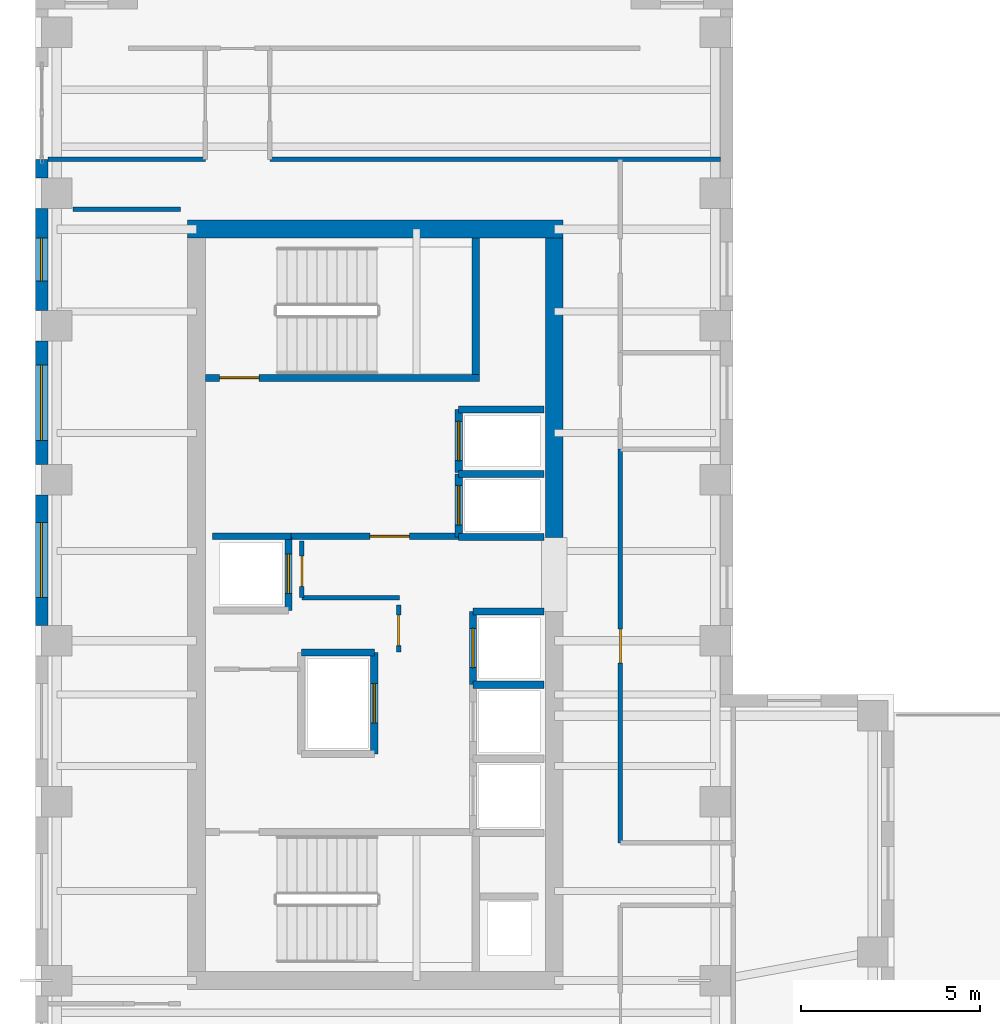
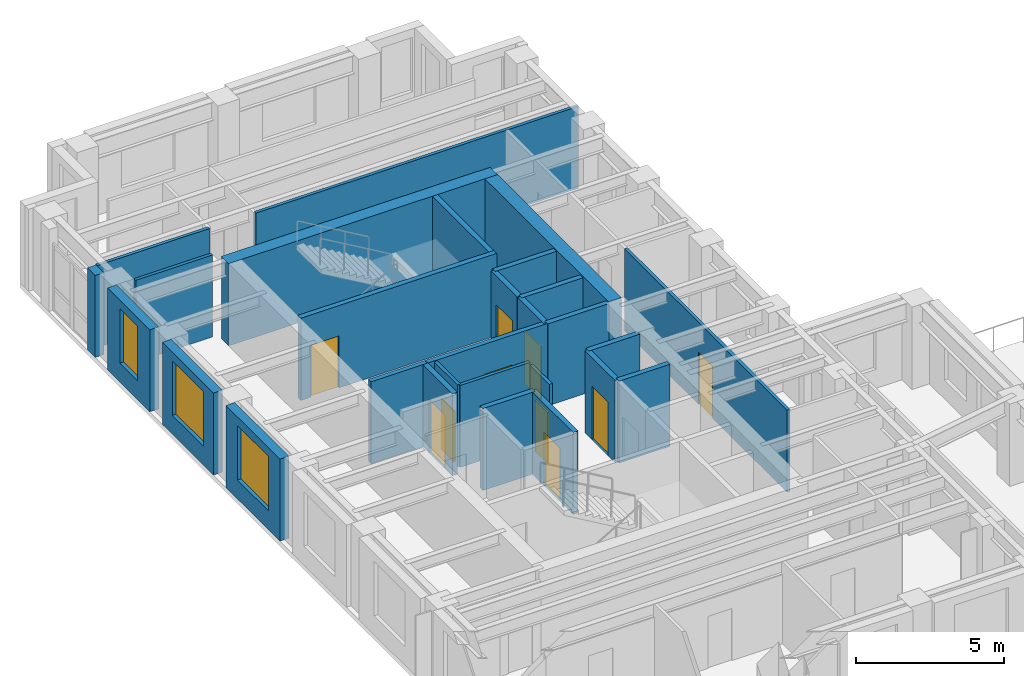
# One storey, part 7 of 11: 28 walls, 10 doors, 3 windows, 13 openings.
"""IFC4 building model written with IfcOpenShell, lengths in metres."""

from ifc_helpers import new_model, si_unit, direction, frame, frame_2d, origin, place, context, subcontext, project, spatial, rectangle, extrude, source, transform, mapped, material, layer, layer_set, type_object, element, fill, save


model = new_model("IFC4")

# Units and contexts
model_context = context("Model", 3, precision=1e-05, world=origin(), true_north=direction((0.0, 1.0)))
body_context = subcontext(model_context, "Body", "Model", "MODEL_VIEW")
ifc_project = project(units=[si_unit("LENGTHUNIT", "METRE"), si_unit("AREAUNIT", "SQUARE_METRE"), si_unit("VOLUMEUNIT", "CUBIC_METRE"), si_unit("PLANEANGLEUNIT", "RADIAN"), si_unit("MASSUNIT", "GRAM", prefix="KILO")], contexts=[model_context])

# Site, building, storey
site_placement = place(None, origin())
site = spatial("IfcSite", under=ifc_project, at=site_placement, CompositionType="ELEMENT")
building_placement = place(site_placement, origin())
building = spatial("IfcBuilding", under=site, at=building_placement, Name="Kharzan Plaza Tower", CompositionType="ELEMENT")
storey_placement = place(building_placement, frame((0.0, 0.0, 262.800048828125)))
storey = spatial("IfcBuildingStorey", under=building, at=storey_placement, Name="L71", CompositionType="ELEMENT", Elevation=262.800048828125)

# Wall, opening, window
ifc_material_1 = material(Name="Concrete C40/50", Category="concrete")
ifc_layer_1 = layer(ifc_material_1, 0.35009765625)
ifc_layer_set_1 = layer_set([ifc_layer_1], Name="Concrete C40/50")
wall_type_1 = type_object("IfcWallType", Name="WL-EXT-MAS-Z4", PredefinedType="SOLIDWALL", material=ifc_layer_set_1)
wall_1_placement = place(storey_placement, frame((0.175048828125, 30.076904296875, 0.0), z_axis=(0.0, 0.0, 1.0), x_axis=(0.0, -1.0, 0.0)))
wall_1 = element("IfcWall", 1, at=wall_1_placement, inside=storey, type_object=wall_type_1, Name="L71 Masonry-Frame Exterior Wall 11", PredefinedType="SOLIDWALL", context=body_context, shape_type="SweptSolid", body=[
    extrude(rectangle(XDim=2.85400390625, YDim=0.35009765625, at=frame_2d((1.427001953125, 0.0))), origin(), (0.0, 0.0, 1.0), 3.385009765625),
])
opening_1_placement = place(wall_1_placement, frame((0.826904296875, 0.0, 0.780029296875)))
opening_1 = element("IfcOpeningElement", 2, at=opening_1_placement, cuts=wall_1, Name="Opening W3", PredefinedType="OPENING", context=body_context, shape_type="SweptSolid", body=[
    extrude(rectangle(XDim=1.199951171875, YDim=2.25, at=frame_2d((0.60009765625, 1.125))), frame((0.0, 0.18505859375, 0.0), z_axis=(0.0, -1.0, 0.0), x_axis=(1.0, 0.0, 0.0)), (0.0, 0.0, 1.0), 0.3701171875),
])
ifc_material_2 = material(Name="Low-E Double Glazing", Category="glass")
window_type_1 = type_object("IfcWindowType", Name="WN-REC-1200x2100", PartitioningType="SINGLE_PANEL", PredefinedType="WINDOW", material=ifc_material_2)
shared_shape_1 = source(origin(), body_context, "Body", "SweptSolid", [
    extrude(rectangle(XDim=1.199951171875, YDim=2.25, at=frame_2d((0.60009765625, 1.125))), frame((0.0, 0.030029296875, 0.0), z_axis=(0.0, -1.0, 0.0), x_axis=(1.0, 0.0, 0.0)), (0.0, 0.0, 1.0), 0.06005859375),
])
window_1_placement = place(opening_1_placement, origin())
window_1 = element("IfcWindow", 3, at=window_1_placement, inside=storey, type_object=window_type_1, Name="L71 Recessed Solar-Control Window 11-1", OverallHeight=2.25, OverallWidth=1.199951171875, PartitioningType="SINGLE_PANEL", PredefinedType="WINDOW", context=body_context, shape_type="MappedRepresentation", body=[
    mapped(shared_shape_1, transform((0.0, 0.0, 0.0), x_axis=(1.0, 0.0, 0.0), y_axis=(0.0, 1.0, 0.0), z_axis=(0.0, 0.0, 1.0))),
])
fill(opening_1, window_1)

wall_2_placement = place(storey_placement, frame((0.175048828125, 26.376953125, 0.0), z_axis=(0.0, 0.0, 1.0), x_axis=(0.0, -1.0, 0.0)))
wall_2 = element("IfcWall", 4, at=wall_2_placement, inside=storey, type_object=wall_type_1, Name="L71 Masonry-Frame Exterior Wall 12", PredefinedType="SOLIDWALL", context=body_context, shape_type="SweptSolid", body=[
    extrude(rectangle(XDim=3.453857421875, YDim=0.35009765625, at=frame_2d((1.72705078125, 0.0))), origin(), (0.0, 0.0, 1.0), 3.385009765625),
])
opening_2_placement = place(wall_2_placement, frame((0.677001953125, 0.0, 0.780029296875)))
opening_2 = element("IfcOpeningElement", 5, at=opening_2_placement, cuts=wall_2, Name="Opening W6", PredefinedType="OPENING", context=body_context, shape_type="SweptSolid", body=[
    extrude(rectangle(XDim=2.10009765625, YDim=2.25, at=frame_2d((1.050048828125, 1.125))), frame((0.0, 0.18505859375, 0.0), z_axis=(0.0, -1.0, 0.0), x_axis=(1.0, 0.0, 0.0)), (0.0, 0.0, 1.0), 0.3701171875),
])
window_type_2 = type_object("IfcWindowType", Name="WN-EXEC-2100x2250", PartitioningType="SINGLE_PANEL", PredefinedType="WINDOW", material=ifc_material_2)
shared_shape_2 = source(origin(), body_context, "Body", "SweptSolid", [
    extrude(rectangle(XDim=2.10009765625, YDim=2.25, at=frame_2d((1.050048828125, 1.125))), frame((0.0, 0.030029296875, 0.0), z_axis=(0.0, -1.0, 0.0), x_axis=(1.0, 0.0, 0.0)), (0.0, 0.0, 1.0), 0.06005859375),
])
window_2_placement = place(opening_2_placement, origin())
window_2 = element("IfcWindow", 6, at=window_2_placement, inside=storey, type_object=window_type_2, Name="L71 Recessed Solar-Control Window 12-1", OverallHeight=2.25, OverallWidth=2.10009765625, PartitioningType="SINGLE_PANEL", PredefinedType="WINDOW", context=body_context, shape_type="MappedRepresentation", body=[
    mapped(shared_shape_2, transform((0.0, 0.0, 0.0), x_axis=(1.0, 0.0, 0.0), y_axis=(0.0, 1.0, 0.0), z_axis=(0.0, 0.0, 1.0))),
])
fill(opening_2, window_2)

wall_3_placement = place(storey_placement, frame((0.175048828125, 22.076904296875, 0.0), z_axis=(0.0, 0.0, 1.0), x_axis=(0.0, -1.0, 0.0)))
wall_3 = element("IfcWall", 7, at=wall_3_placement, inside=storey, type_object=wall_type_1, Name="L71 Masonry-Frame Exterior Wall 13", PredefinedType="SOLIDWALL", context=body_context, shape_type="SweptSolid", body=[
    extrude(rectangle(XDim=3.65380859375, YDim=0.35009765625, at=frame_2d((1.826904296875, 0.0))), origin(), (0.0, 0.0, 1.0), 3.385009765625),
])
opening_3_placement = place(wall_3_placement, frame((0.777099609375, 0.0, 0.780029296875)))
opening_3 = element("IfcOpeningElement", 8, at=opening_3_placement, cuts=wall_3, Name="Opening W6", PredefinedType="OPENING", context=body_context, shape_type="SweptSolid", body=[
    extrude(rectangle(XDim=2.10009765625, YDim=2.25, at=frame_2d((1.050048828125, 1.125))), frame((0.0, 0.18505859375, 0.0), z_axis=(0.0, -1.0, 0.0), x_axis=(1.0, 0.0, 0.0)), (0.0, 0.0, 1.0), 0.3701171875),
])
window_3_placement = place(opening_3_placement, origin())
window_3 = element("IfcWindow", 9, at=window_3_placement, inside=storey, type_object=window_type_2, Name="L71 Recessed Solar-Control Window 13-1", OverallHeight=2.25, OverallWidth=2.10009765625, PartitioningType="SINGLE_PANEL", PredefinedType="WINDOW", context=body_context, shape_type="MappedRepresentation", body=[
    mapped(shared_shape_2, transform((0.0, 0.0, 0.0), x_axis=(1.0, 0.0, 0.0), y_axis=(0.0, 1.0, 0.0), z_axis=(0.0, 0.0, 1.0))),
])
fill(opening_3, window_3)

# Wall, opening, door
ifc_layer_2 = layer(ifc_material_1, 0.179931640625)
ifc_layer_set_2 = layer_set([ifc_layer_2], Name="Concrete C40/50")
wall_type_2 = type_object("IfcWallType", Name="WL-INT-FIRE-180", PredefinedType="PARTITIONING", material=ifc_layer_set_2)
wall_4_placement = place(storey_placement, frame((7.14990234375, 20.919921875, 0.0), z_axis=(0.0, 0.0, 1.0), x_axis=(1.0, 0.0, 0.0)))
wall_4 = element("IfcWall", 10, at=wall_4_placement, inside=storey, type_object=wall_type_2, Name="L71 Interior Partition CA-FF-S", PredefinedType="PARTITIONING", context=body_context, shape_type="SweptSolid", body=[
    extrude(rectangle(XDim=4.68017578125, YDim=0.179931640625, at=frame_2d((2.340087890625, 0.0))), origin(), (0.0, 0.0, 1.0), 3.385009765625),
])
opening_4_placement = place(wall_4_placement, frame((2.199951171875, 0.0, 0.0)))
opening_4 = element("IfcOpeningElement", 11, at=opening_4_placement, cuts=wall_4, Name="Opening FD1", PredefinedType="OPENING", context=body_context, shape_type="SweptSolid", body=[
    extrude(rectangle(XDim=1.10009765625, YDim=2.14990234375, at=frame_2d((0.550048828125, 1.074951171875))), frame((0.0, 0.099853515625, 0.0), z_axis=(0.0, -1.0, 0.0), x_axis=(1.0, 0.0, 0.0)), (0.0, 0.0, 1.0), 0.199951171875),
])
ifc_material_3 = material(Name="Fire-Rated Acoustic Vision-Panel Steel", Category="steel")
door_type_1 = type_object("IfcDoorType", Name="DR-FIRE-LOBBY", OperationType="NOTDEFINED", PredefinedType="DOOR", material=ifc_material_3)
shared_shape_3 = source(origin(), body_context, "Body", "SweptSolid", [
    extrude(rectangle(XDim=1.10009765625, YDim=2.14990234375, at=frame_2d((0.550048828125, 1.074951171875))), frame((0.0, 0.02490234375, 0.0), z_axis=(0.0, -1.0, 0.0), x_axis=(1.0, 0.0, 0.0)), (0.0, 0.0, 1.0), 0.050048828125),
])
door_1_placement = place(opening_4_placement, origin())
door_1 = element("IfcDoor", 12, at=door_1_placement, inside=storey, type_object=door_type_1, Name="L71 Firefighting Lobby Door", OperationType="SINGLE_SWING_LEFT", OverallHeight=2.14990234375, OverallWidth=1.10009765625, PredefinedType="DOOR", context=body_context, shape_type="MappedRepresentation", body=[
    mapped(shared_shape_3, transform((0.0, 0.0, 0.0), x_axis=(1.0, 0.0, 0.0), y_axis=(0.0, 1.0, 0.0), z_axis=(0.0, 0.0, 1.0))),
])
fill(opening_4, door_1)

ifc_material_4 = material(Name="Fire-Rated Gypsum Board Partition", Category="gypsum")
ifc_layer_3 = layer(ifc_material_4, 0.125)
ifc_layer_set_3 = layer_set([ifc_layer_3], Name="Fire-Rated Gypsum Board Partition")
wall_type_3 = type_object("IfcWallType", Name="WL-INT-PART-125", PredefinedType="PARTITIONING", material=ifc_layer_set_3)
wall_5_placement = place(storey_placement, frame((10.14990234375, 17.679931640625, 0.0), z_axis=(0.0, 0.0, 1.0), x_axis=(0.0, 1.0, 0.0)))
wall_5 = element("IfcWall", 13, at=wall_5_placement, inside=storey, type_object=wall_type_3, Name="L71 Interior Partition CA-K2A", PredefinedType="PARTITIONING", context=body_context, shape_type="SweptSolid", body=[
    extrude(rectangle(XDim=1.320068359375, YDim=0.125, at=frame_2d((0.66015625, 0.0))), origin(), (0.0, 0.0, 1.0), 3.385009765625),
])
opening_5_placement = place(wall_5_placement, frame((0.18505859375, 0.0, 0.0)))
opening_5 = element("IfcOpeningElement", 14, at=opening_5_placement, cuts=wall_5, Name="Opening RD1", PredefinedType="OPENING", context=body_context, shape_type="SweptSolid", body=[
    extrude(rectangle(XDim=0.85009765625, YDim=2.10009765625, at=frame_2d((0.425048828125, 1.050048828125))), frame((0.0, 0.072509765625, 0.0), z_axis=(0.0, -1.0, 0.0), x_axis=(1.0, 0.0, 0.0)), (0.0, 0.0, 1.0), 0.14501953125),
])
ifc_material_5 = material(Name="Powder-Coated Fire-Rated Steel", Category="steel")
door_type_2 = type_object("IfcDoorType", Name="DR-RISER-900", OperationType="NOTDEFINED", PredefinedType="DOOR", material=ifc_material_5)
shared_shape_4 = source(origin(), body_context, "Body", "SweptSolid", [
    extrude(rectangle(XDim=0.85009765625, YDim=2.10009765625, at=frame_2d((0.425048828125, 1.050048828125))), frame((0.0, 0.02490234375, 0.0), z_axis=(0.0, -1.0, 0.0), x_axis=(1.0, 0.0, 0.0)), (0.0, 0.0, 1.0), 0.050048828125),
])
door_2_placement = place(opening_5_placement, origin())
door_2 = element("IfcDoor", 15, at=door_2_placement, inside=storey, type_object=door_type_2, Name="L71 Core Mechanical Store Door", OperationType="SINGLE_SWING_LEFT", OverallHeight=2.10009765625, OverallWidth=0.85009765625, PredefinedType="DOOR", context=body_context, shape_type="MappedRepresentation", body=[
    mapped(shared_shape_4, transform((0.0, 0.0, 0.0), x_axis=(1.0, 0.0, 0.0), y_axis=(0.0, 1.0, 0.0), z_axis=(0.0, 0.0, 1.0))),
])
fill(opening_5, door_2)

wall_6_placement = place(storey_placement, frame((7.449951171875, 19.199951171875, 0.0), z_axis=(0.0, 0.0, 1.0), x_axis=(0.0, 1.0, 0.0)))
wall_6 = element("IfcWall", 16, at=wall_6_placement, inside=storey, type_object=wall_type_3, Name="L71 Interior Partition CA-K2B", PredefinedType="PARTITIONING", context=body_context, shape_type="SweptSolid", body=[
    extrude(rectangle(XDim=1.580078125, YDim=0.125, at=frame_2d((0.7900390625, 0.0))), origin(), (0.0, 0.0, 1.0), 3.385009765625),
])
opening_6_placement = place(wall_6_placement, frame((0.31494140625, 0.0, 0.0)))
opening_6 = element("IfcOpeningElement", 17, at=opening_6_placement, cuts=wall_6, Name="Opening RD1", PredefinedType="OPENING", context=body_context, shape_type="SweptSolid", body=[
    extrude(rectangle(XDim=0.85009765625, YDim=2.10009765625, at=frame_2d((0.425048828125, 1.050048828125))), frame((0.0, 0.072509765625, 0.0), z_axis=(0.0, -1.0, 0.0), x_axis=(1.0, 0.0, 0.0)), (0.0, 0.0, 1.0), 0.14501953125),
])
door_3_placement = place(opening_6_placement, origin())
door_3 = element("IfcDoor", 18, at=door_3_placement, inside=storey, type_object=door_type_2, Name="L71 Core Plant Store Door", OperationType="SINGLE_SWING_RIGHT", OverallHeight=2.10009765625, OverallWidth=0.85009765625, PredefinedType="DOOR", context=body_context, shape_type="MappedRepresentation", body=[
    mapped(shared_shape_4, transform((0.0, 0.0, 0.0), x_axis=(1.0, 0.0, 0.0), y_axis=(0.0, 1.0, 0.0), z_axis=(0.0, 0.0, 1.0))),
])
fill(opening_6, door_3)

wall_7_placement = place(storey_placement, frame((16.35009765625, 12.35009765625, 0.0), z_axis=(0.0, 0.0, 1.0), x_axis=(0.0, 1.0, 0.0)))
wall_7 = element("IfcWall", 19, at=wall_7_placement, inside=storey, type_object=wall_type_3, Name="L71 Interior Partition SH-AEW2", PredefinedType="PARTITIONING", context=body_context, shape_type="SweptSolid", body=[
    extrude(rectangle(XDim=11.0, YDim=0.125, at=frame_2d((5.5, 0.0))), origin(), (0.0, 0.0, 1.0), 3.385009765625),
])
opening_7_placement = place(wall_7_placement, frame((5.02490234375, 0.0, 0.0)))
opening_7 = element("IfcOpeningElement", 20, at=opening_7_placement, cuts=wall_7, Name="Opening OD1", PredefinedType="OPENING", context=body_context, shape_type="SweptSolid", body=[
    extrude(rectangle(XDim=0.949951171875, YDim=2.14990234375, at=frame_2d((0.47509765625, 1.074951171875))), frame((0.0, 0.072509765625, 0.0), z_axis=(0.0, -1.0, 0.0), x_axis=(1.0, 0.0, 0.0)), (0.0, 0.0, 1.0), 0.14501953125),
])
ifc_material_6 = material(Name="Acoustic Solid-Core Stained Oak", Category="timber")
door_type_3 = type_object("IfcDoorType", Name="DR-OFF-SINGLE", OperationType="NOTDEFINED", PredefinedType="DOOR", material=ifc_material_6)
shared_shape_5 = source(origin(), body_context, "Body", "SweptSolid", [
    extrude(rectangle(XDim=0.949951171875, YDim=2.14990234375, at=frame_2d((0.47509765625, 1.074951171875))), frame((0.0, 0.02490234375, 0.0), z_axis=(0.0, -1.0, 0.0), x_axis=(1.0, 0.0, 0.0)), (0.0, 0.0, 1.0), 0.050048828125),
])
door_4_placement = place(opening_7_placement, origin())
door_4 = element("IfcDoor", 21, at=door_4_placement, inside=storey, type_object=door_type_3, Name="L71 Briefing Room Door", OperationType="SINGLE_SWING_RIGHT", OverallHeight=2.14990234375, OverallWidth=0.949951171875, PredefinedType="DOOR", context=body_context, shape_type="MappedRepresentation", body=[
    mapped(shared_shape_5, transform((0.0, 0.0, 0.0), x_axis=(1.0, 0.0, 0.0), y_axis=(0.0, 1.0, 0.0), z_axis=(0.0, 0.0, 1.0))),
])
fill(opening_7, door_4)

ifc_layer_4 = layer(ifc_material_1, 0.199951171875)
ifc_layer_set_4 = layer_set([ifc_layer_4], Name="Concrete C40/50")
wall_type_4 = type_object("IfcWallType", Name="WL-INT-SHAFT-200", PredefinedType="PARTITIONING", material=ifc_layer_set_4)
wall_8_placement = place(storey_placement, frame((11.830078125, 20.89990234375, 0.0), z_axis=(0.0, 0.0, 1.0), x_axis=(0.0, 1.0, 0.0)))
wall_8 = element("IfcWall", 22, at=wall_8_placement, inside=storey, type_object=wall_type_4, Name="L71 Interior Partition SHF-FFL-1-W", PredefinedType="PARTITIONING", context=body_context, shape_type="SweptSolid", body=[
    extrude(rectangle(XDim=1.760009765625, YDim=0.199951171875, at=frame_2d((0.8798828125, 0.0))), origin(), (0.0, 0.0, 1.0), 3.385009765625),
])
opening_8_placement = place(wall_8_placement, frame((0.330078125, 0.0, 0.0)))
opening_8 = element("IfcOpeningElement", 23, at=opening_8_placement, cuts=wall_8, Name="Opening LD", PredefinedType="OPENING", context=body_context, shape_type="SweptSolid", body=[
    extrude(rectangle(XDim=1.10009765625, YDim=2.199951171875, at=frame_2d((0.550048828125, 1.10009765625))), frame((0.0, 0.10986328125, 0.0), z_axis=(0.0, -1.0, 0.0), x_axis=(1.0, 0.0, 0.0)), (0.0, 0.0, 1.0), 0.219970703125),
])
ifc_material_7 = material(Name="Brushed Stainless Steel", Category="steel")
door_type_4 = type_object("IfcDoorType", Name="DR-LIFT-SLIDE", OperationType="SLIDING_TO_LEFT", PredefinedType="DOOR", material=ifc_material_7)
shared_shape_6 = source(origin(), body_context, "Body", "SweptSolid", [
    extrude(rectangle(XDim=1.10009765625, YDim=2.199951171875, at=frame_2d((0.550048828125, 1.10009765625))), frame((0.0, 0.02490234375, 0.0), z_axis=(0.0, -1.0, 0.0), x_axis=(1.0, 0.0, 0.0)), (0.0, 0.0, 1.0), 0.050048828125),
])
door_5_placement = place(opening_8_placement, origin())
door_5 = element("IfcDoor", 24, at=door_5_placement, inside=storey, type_object=door_type_4, Name="L71 Firefighting Lift FFL-1 Sliding Landing Door", OperationType="SLIDING_TO_LEFT", OverallHeight=2.199951171875, OverallWidth=1.10009765625, PredefinedType="DOOR", context=body_context, shape_type="MappedRepresentation", body=[
    mapped(shared_shape_6, transform((0.0, 0.0, 0.0), x_axis=(1.0, 0.0, 0.0), y_axis=(0.0, 1.0, 0.0), z_axis=(0.0, 0.0, 1.0))),
])
fill(opening_8, door_5)

wall_9_placement = place(storey_placement, frame((11.830078125, 22.699951171875, 0.0), z_axis=(0.0, 0.0, 1.0), x_axis=(0.0, 1.0, 0.0)))
wall_9 = element("IfcWall", 25, at=wall_9_placement, inside=storey, type_object=wall_type_4, Name="L71 Interior Partition SHF-FFL-2-W", PredefinedType="PARTITIONING", context=body_context, shape_type="SweptSolid", body=[
    extrude(rectangle(XDim=1.760009765625, YDim=0.199951171875, at=frame_2d((0.8798828125, 0.0))), origin(), (0.0, 0.0, 1.0), 3.385009765625),
])
opening_9_placement = place(wall_9_placement, frame((0.330078125, 0.0, 0.0)))
opening_9 = element("IfcOpeningElement", 26, at=opening_9_placement, cuts=wall_9, Name="Opening LD", PredefinedType="OPENING", context=body_context, shape_type="SweptSolid", body=[
    extrude(rectangle(XDim=1.10009765625, YDim=2.199951171875, at=frame_2d((0.550048828125, 1.10009765625))), frame((0.0, 0.10986328125, 0.0), z_axis=(0.0, -1.0, 0.0), x_axis=(1.0, 0.0, 0.0)), (0.0, 0.0, 1.0), 0.219970703125),
])
door_6_placement = place(opening_9_placement, origin())
door_6 = element("IfcDoor", 27, at=door_6_placement, inside=storey, type_object=door_type_4, Name="L71 Firefighting Lift FFL-2 Sliding Landing Door", OperationType="SLIDING_TO_LEFT", OverallHeight=2.199951171875, OverallWidth=1.10009765625, PredefinedType="DOOR", context=body_context, shape_type="MappedRepresentation", body=[
    mapped(shared_shape_6, transform((0.0, 0.0, 0.0), x_axis=(1.0, 0.0, 0.0), y_axis=(0.0, 1.0, 0.0), z_axis=(0.0, 0.0, 1.0))),
])
fill(opening_9, door_6)

wall_10_placement = place(storey_placement, frame((12.22998046875, 16.77001953125, 0.0), z_axis=(0.0, 0.0, 1.0), x_axis=(0.0, 1.0, 0.0)))
wall_10 = element("IfcWall", 28, at=wall_10_placement, inside=storey, type_object=wall_type_4, Name="L71 Interior Partition SHF-PL-H3-W", PredefinedType="PARTITIONING", context=body_context, shape_type="SweptSolid", body=[
    extrude(rectangle(XDim=2.050048828125, YDim=0.199951171875, at=frame_2d((1.02490234375, 0.0))), origin(), (0.0, 0.0, 1.0), 3.385009765625),
])
opening_10_placement = place(wall_10_placement, frame((0.47509765625, 0.0, 0.0)))
opening_10 = element("IfcOpeningElement", 29, at=opening_10_placement, cuts=wall_10, Name="Opening LD", PredefinedType="OPENING", context=body_context, shape_type="SweptSolid", body=[
    extrude(rectangle(XDim=1.10009765625, YDim=2.199951171875, at=frame_2d((0.550048828125, 1.10009765625))), frame((0.0, 0.10986328125, 0.0), z_axis=(0.0, -1.0, 0.0), x_axis=(1.0, 0.0, 0.0)), (0.0, 0.0, 1.0), 0.219970703125),
])
door_7_placement = place(opening_10_placement, origin())
door_7 = element("IfcDoor", 30, at=door_7_placement, inside=storey, type_object=door_type_4, Name="L71 High-Rise Passenger Lift PL-H3 Sliding Landing Door", OperationType="SLIDING_TO_LEFT", OverallHeight=2.199951171875, OverallWidth=1.10009765625, PredefinedType="DOOR", context=body_context, shape_type="MappedRepresentation", body=[
    mapped(shared_shape_6, transform((0.0, 0.0, 0.0), x_axis=(1.0, 0.0, 0.0), y_axis=(0.0, 1.0, 0.0), z_axis=(0.0, 0.0, 1.0))),
])
fill(opening_10, door_7)

wall_11_placement = place(storey_placement, frame((7.070068359375, 18.840087890625, 0.0), z_axis=(0.0, 0.0, 1.0), x_axis=(0.0, 1.0, 0.0)))
wall_11 = element("IfcWall", 31, at=wall_11_placement, inside=storey, type_object=wall_type_4, Name="L71 Interior Partition SHF-PL-H4-E", PredefinedType="PARTITIONING", context=body_context, shape_type="SweptSolid", body=[
    extrude(rectangle(XDim=2.059814453125, YDim=0.199951171875, at=frame_2d((1.02978515625, 0.0))), origin(), (0.0, 0.0, 1.0), 3.385009765625),
])
opening_11_placement = place(wall_11_placement, frame((0.47998046875, 0.0, 0.0)))
opening_11 = element("IfcOpeningElement", 32, at=opening_11_placement, cuts=wall_11, Name="Opening LD", PredefinedType="OPENING", context=body_context, shape_type="SweptSolid", body=[
    extrude(rectangle(XDim=1.10009765625, YDim=2.199951171875, at=frame_2d((0.550048828125, 1.10009765625))), frame((0.0, 0.10986328125, 0.0), z_axis=(0.0, -1.0, 0.0), x_axis=(1.0, 0.0, 0.0)), (0.0, 0.0, 1.0), 0.219970703125),
])
door_8_placement = place(opening_11_placement, origin())
door_8 = element("IfcDoor", 33, at=door_8_placement, inside=storey, type_object=door_type_4, Name="L71 High-Rise Passenger Lift PL-H4 Sliding Landing Door", OperationType="SLIDING_TO_LEFT", OverallHeight=2.199951171875, OverallWidth=1.10009765625, PredefinedType="DOOR", context=body_context, shape_type="MappedRepresentation", body=[
    mapped(shared_shape_6, transform((0.0, 0.0, 0.0), x_axis=(1.0, 0.0, 0.0), y_axis=(0.0, 1.0, 0.0), z_axis=(0.0, 0.0, 1.0))),
])
fill(opening_11, door_8)

wall_12_placement = place(storey_placement, frame((9.469970703125, 14.830078125, 0.0), z_axis=(0.0, 0.0, 1.0), x_axis=(0.0, 1.0, 0.0)))
wall_12 = element("IfcWall", 34, at=wall_12_placement, inside=storey, type_object=wall_type_4, Name="L71 Interior Partition SHF-SVL-1-E", PredefinedType="PARTITIONING", context=body_context, shape_type="SweptSolid", body=[
    extrude(rectangle(XDim=2.83984375, YDim=0.199951171875, at=frame_2d((1.419921875, 0.0))), origin(), (0.0, 0.0, 1.0), 3.385009765625),
])
opening_12_placement = place(wall_12_placement, frame((0.8701171875, 0.0, 0.0)))
opening_12 = element("IfcOpeningElement", 35, at=opening_12_placement, cuts=wall_12, Name="Opening LD", PredefinedType="OPENING", context=body_context, shape_type="SweptSolid", body=[
    extrude(rectangle(XDim=1.10009765625, YDim=2.199951171875, at=frame_2d((0.550048828125, 1.10009765625))), frame((0.0, 0.10986328125, 0.0), z_axis=(0.0, -1.0, 0.0), x_axis=(1.0, 0.0, 0.0)), (0.0, 0.0, 1.0), 0.219970703125),
])
door_9_placement = place(opening_12_placement, origin())
door_9 = element("IfcDoor", 36, at=door_9_placement, inside=storey, type_object=door_type_4, Name="L71 Service Lift SVL-1 Sliding Landing Door", OperationType="SLIDING_TO_LEFT", OverallHeight=2.199951171875, OverallWidth=1.10009765625, PredefinedType="DOOR", context=body_context, shape_type="MappedRepresentation", body=[
    mapped(shared_shape_6, transform((0.0, 0.0, 0.0), x_axis=(1.0, 0.0, 0.0), y_axis=(0.0, 1.0, 0.0), z_axis=(0.0, 0.0, 1.0))),
])
fill(opening_12, door_9)

ifc_material_8 = material(Name="Concrete C50/60", Category="concrete")
ifc_layer_5 = layer(ifc_material_8, 0.199951171875)
ifc_layer_set_5 = layer_set([ifc_layer_5], Name="Concrete C50/60")
wall_type_5 = type_object("IfcWallType", Name="WL-SHAFT-RC200", PredefinedType="SHEAR", material=ifc_layer_set_5)
wall_13_placement = place(storey_placement, frame((4.751953125, 25.344970703125, 0.0), z_axis=(0.0, 0.0, 1.0), x_axis=(1.0, 0.0, 0.0)))
wall_13 = element("IfcWall", 37, at=wall_13_placement, inside=storey, type_object=wall_type_5, Name="L71 Stair ST-2 South RC Shaft Wall", PredefinedType="SHEAR", context=body_context, shape_type="SweptSolid", body=[
    extrude(rectangle(XDim=7.653076171875, YDim=0.199951171875, at=frame_2d((3.82666015625, 0.0))), origin(), (0.0, 0.0, 1.0), 3.39990234375),
])
opening_13_placement = place(wall_13_placement, frame((0.39990234375, 0.0, 0.0)))
opening_13 = element("IfcOpeningElement", 38, at=opening_13_placement, cuts=wall_13, Name="Opening SD1", PredefinedType="OPENING", context=body_context, shape_type="SweptSolid", body=[
    extrude(rectangle(XDim=1.10009765625, YDim=2.14990234375, at=frame_2d((0.550048828125, 1.074951171875))), frame((0.0, 0.10986328125, 0.0), z_axis=(0.0, -1.0, 0.0), x_axis=(1.0, 0.0, 0.0)), (0.0, 0.0, 1.0), 0.219970703125),
])
ifc_material_9 = material(Name="Fire-Rated Hollow Galvanized Steel", Category="steel")
door_type_5 = type_object("IfcDoorType", Name="DR-STAIR-FD120", OperationType="NOTDEFINED", PredefinedType="DOOR", material=ifc_material_9)
shared_shape_7 = source(origin(), body_context, "Body", "SweptSolid", [
    extrude(rectangle(XDim=1.10009765625, YDim=2.14990234375, at=frame_2d((0.550048828125, 1.074951171875))), frame((0.0, 0.02490234375, 0.0), z_axis=(0.0, -1.0, 0.0), x_axis=(1.0, 0.0, 0.0)), (0.0, 0.0, 1.0), 0.050048828125),
])
door_10_placement = place(opening_13_placement, origin())
door_10 = element("IfcDoor", 39, at=door_10_placement, inside=storey, type_object=door_type_5, Name="L71 Stair ST-2 Fire Exit Door", OperationType="SINGLE_SWING_RIGHT", OverallHeight=2.14990234375, OverallWidth=1.10009765625, PredefinedType="DOOR", context=body_context, shape_type="MappedRepresentation", body=[
    mapped(shared_shape_7, transform((0.0, 0.0, 0.0), x_axis=(1.0, 0.0, 0.0), y_axis=(0.0, 1.0, 0.0), z_axis=(0.0, 0.0, 1.0))),
])
fill(opening_13, door_10)

# Walls
shared_shape_8 = source(origin(), body_context, "Body", "SweptSolid", [
    extrude(rectangle(XDim=2.199951171875, YDim=0.179931640625, at=frame_2d((1.10009765625, 0.0))), origin(), (0.0, 0.0, 1.0), 3.385009765625),
])
wall_14_placement = place(storey_placement, frame((4.949951171875, 20.919921875, 0.0), z_axis=(0.0, 0.0, 1.0), x_axis=(1.0, 0.0, 0.0)))
element("IfcWall", 40, at=wall_14_placement, inside=storey, type_object=wall_type_2, Name="L71 Interior Partition CA-FF-SW", PredefinedType="PARTITIONING", context=body_context, shape_type="MappedRepresentation", body=[
    mapped(shared_shape_8, transform((0.0, 0.0, 0.0), x_axis=(1.0, 0.0, 0.0), y_axis=(0.0, 1.0, 0.0), z_axis=(0.0, 0.0, 1.0))),
])
shared_shape_9 = source(origin(), body_context, "Body", "SweptSolid", [
    extrude(rectangle(XDim=2.72998046875, YDim=0.125, at=frame_2d((1.364990234375, 0.0))), origin(), (0.0, 0.0, 1.0), 3.385009765625),
])
wall_15_placement = place(storey_placement, frame((7.449951171875, 19.199951171875, 0.0), z_axis=(0.0, 0.0, 1.0), x_axis=(1.0, 0.0, 0.0)))
element("IfcWall", 41, at=wall_15_placement, inside=storey, type_object=wall_type_3, Name="L71 Interior Partition CA-K2M", PredefinedType="PARTITIONING", context=body_context, shape_type="MappedRepresentation", body=[
    mapped(shared_shape_9, transform((0.0, 0.0, 0.0), x_axis=(1.0, 0.0, 0.0), y_axis=(0.0, 1.0, 0.0), z_axis=(0.0, 0.0, 1.0))),
])
shared_shape_10 = source(origin(), body_context, "Body", "SweptSolid", [
    extrude(rectangle(XDim=2.0400390625, YDim=0.199951171875, at=frame_2d((1.02001953125, 0.0))), origin(), (0.0, 0.0, 1.0), 3.385009765625),
])
wall_16_placement = place(storey_placement, frame((7.429931640625, 17.669921875, 0.0), z_axis=(0.0, 0.0, 1.0), x_axis=(1.0, 0.0, 0.0)))
element("IfcWall", 42, at=wall_16_placement, inside=storey, type_object=wall_type_4, Name="L71 Interior Partition SHF-SVL-1-N", PredefinedType="PARTITIONING", context=body_context, shape_type="MappedRepresentation", body=[
    mapped(shared_shape_10, transform((0.0, 0.0, 0.0), x_axis=(1.0, 0.0, 0.0), y_axis=(0.0, 1.0, 0.0), z_axis=(0.0, 0.0, 1.0))),
])
shared_shape_11 = source(origin(), body_context, "Body", "SweptSolid", [
    extrude(rectangle(XDim=4.39794921875, YDim=0.125, at=frame_2d((2.198974609375, 0.0))), origin(), (0.0, 0.0, 1.0), 3.385009765625),
])
wall_17_placement = place(storey_placement, frame((0.35205078125, 31.449951171875, 0.0), z_axis=(0.0, 0.0, 1.0), x_axis=(1.0, 0.0, 0.0)))
element("IfcWall", 43, at=wall_17_placement, inside=storey, type_object=wall_type_3, Name="L71 Interior Partition SH-NNW", PredefinedType="PARTITIONING", context=body_context, shape_type="MappedRepresentation", body=[
    mapped(shared_shape_11, transform((0.0, 0.0, 0.0), x_axis=(1.0, 0.0, 0.0), y_axis=(0.0, 1.0, 0.0), z_axis=(0.0, 0.0, 1.0))),
])
shared_shape_12 = source(origin(), body_context, "Body", "SweptSolid", [
    extrude(rectangle(XDim=12.597900390625, YDim=0.125, at=frame_2d((6.298828125, 0.0))), origin(), (0.0, 0.0, 1.0), 3.385009765625),
])
wall_18_placement = place(storey_placement, frame((6.550048828125, 31.449951171875, 0.0), z_axis=(0.0, 0.0, 1.0), x_axis=(1.0, 0.0, 0.0)))
element("IfcWall", 44, at=wall_18_placement, inside=storey, type_object=wall_type_3, Name="L71 Interior Partition SH-NNE", PredefinedType="PARTITIONING", context=body_context, shape_type="MappedRepresentation", body=[
    mapped(shared_shape_12, transform((0.0, 0.0, 0.0), x_axis=(1.0, 0.0, 0.0), y_axis=(0.0, 1.0, 0.0), z_axis=(0.0, 0.0, 1.0))),
])
shared_shape_13 = source(origin(), body_context, "Body", "SweptSolid", [
    extrude(rectangle(XDim=0.52685546875, YDim=0.35009765625, at=frame_2d((0.263427734375, 0.0))), origin(), (0.0, 0.0, 1.0), 3.385009765625),
])
wall_19_placement = place(storey_placement, frame((0.175048828125, 31.449951171875, 0.0), z_axis=(0.0, 0.0, 1.0), x_axis=(0.0, -1.0, 0.0)))
element("IfcWall", 45, at=wall_19_placement, inside=storey, type_object=wall_type_1, Name="L71 Masonry-Frame Exterior Wall 10", PredefinedType="SOLIDWALL", context=body_context, shape_type="MappedRepresentation", body=[
    mapped(shared_shape_13, transform((0.0, 0.0, 0.0), x_axis=(1.0, 0.0, 0.0), y_axis=(0.0, 1.0, 0.0), z_axis=(0.0, 0.0, 1.0))),
])
shared_shape_14 = source(origin(), body_context, "Body", "SweptSolid", [
    extrude(rectangle(XDim=3.0, YDim=0.125, at=frame_2d((1.5, 0.0))), origin(), (0.0, 0.0, 1.0), 3.385009765625),
])
wall_20_placement = place(storey_placement, frame((1.050048828125, 30.050048828125, 0.0), z_axis=(0.0, 0.0, 1.0), x_axis=(1.0, 0.0, 0.0)))
element("IfcWall", 46, at=wall_20_placement, inside=storey, type_object=wall_type_3, Name="L71 Interior Partition SH-RWN0", PredefinedType="PARTITIONING", context=body_context, shape_type="MappedRepresentation", body=[
    mapped(shared_shape_14, transform((0.0, 0.0, 0.0), x_axis=(1.0, 0.0, 0.0), y_axis=(0.0, 1.0, 0.0), z_axis=(0.0, 0.0, 1.0))),
])
shared_shape_15 = source(origin(), body_context, "Body", "SweptSolid", [
    extrude(rectangle(XDim=2.389892578125, YDim=0.199951171875, at=frame_2d((1.19482421875, 0.0))), origin(), (0.0, 0.0, 1.0), 3.385009765625),
])
for number, where, z_axis, x_axis, name in (
    (47, (11.830078125, 22.659912109375, 0.0), (0.0, 0.0, 1.0), (1.0, 0.0, 0.0), "L71 Interior Partition SHF-FFL-1-N"),
    (48, (11.830078125, 20.89990234375, 0.0), (0.0, 0.0, 1.0), (1.0, 0.0, 0.0), "L71 Interior Partition SHF-FFL-1-S"),
    (49, (11.830078125, 24.4599609375, 0.0), (0.0, 0.0, 1.0), (1.0, 0.0, 0.0), "L71 Interior Partition SHF-FFL-2-N"),
):
    element("IfcWall", number, at=place(storey_placement, frame(where, z_axis=z_axis, x_axis=x_axis)), inside=storey, type_object=wall_type_4, Name=name, PredefinedType="PARTITIONING", context=body_context, shape_type="MappedRepresentation", body=[
        mapped(shared_shape_15, transform((0.0, 0.0, 0.0), x_axis=(1.0, 0.0, 0.0), y_axis=(0.0, 1.0, 0.0), z_axis=(0.0, 0.0, 1.0))),
    ])
shared_shape_16 = source(origin(), body_context, "Body", "SweptSolid", [
    extrude(rectangle(XDim=1.989990234375, YDim=0.199951171875, at=frame_2d((0.9951171875, 0.0))), origin(), (0.0, 0.0, 1.0), 3.385009765625),
])
for number, where, z_axis, x_axis, name in (
    (50, (12.22998046875, 16.77001953125, 0.0), (0.0, 0.0, 1.0), (1.0, 0.0, 0.0), "L71 Interior Partition SHF-PL-H2-N"),
    (51, (12.22998046875, 18.820068359375, 0.0), (0.0, 0.0, 1.0), (1.0, 0.0, 0.0), "L71 Interior Partition SHF-PL-H3-N"),
):
    element("IfcWall", number, at=place(storey_placement, frame(where, z_axis=z_axis, x_axis=x_axis)), inside=storey, type_object=wall_type_4, Name=name, PredefinedType="PARTITIONING", context=body_context, shape_type="MappedRepresentation", body=[
        mapped(shared_shape_16, transform((0.0, 0.0, 0.0), x_axis=(1.0, 0.0, 0.0), y_axis=(0.0, 1.0, 0.0), z_axis=(0.0, 0.0, 1.0))),
    ])
ifc_layer_6 = layer(ifc_material_8, 0.5)
ifc_layer_set_6 = layer_set([ifc_layer_6], Name="Concrete C50/60")
wall_type_6 = type_object("IfcWallType", Name="WL-CORE-500", PredefinedType="SHEAR", material=ifc_layer_set_6)
shared_shape_17 = source(origin(), body_context, "Body", "SweptSolid", [
    extrude(rectangle(XDim=8.3701171875, YDim=0.5, at=frame_2d((4.18505859375, 0.0))), origin(), (0.0, 0.0, 1.0), 3.39990234375),
])
wall_21_placement = place(storey_placement, frame((14.5, 20.8798828125, 0.0), z_axis=(0.0, 0.0, 1.0), x_axis=(0.0, 1.0, 0.0)))
element("IfcWall", 52, at=wall_21_placement, inside=storey, type_object=wall_type_6, Name="L71 CORE-A east shear pier 2", PredefinedType="SHEAR", context=body_context, shape_type="MappedRepresentation", body=[
    mapped(shared_shape_17, transform((0.0, 0.0, 0.0), x_axis=(1.0, 0.0, 0.0), y_axis=(0.0, 1.0, 0.0), z_axis=(0.0, 0.0, 1.0))),
])
shared_shape_18 = source(origin(), body_context, "Body", "SweptSolid", [
    extrude(rectangle(XDim=10.5, YDim=0.5, at=frame_2d((5.25, 0.0))), origin(), (0.0, 0.0, 1.0), 3.39990234375),
])
wall_22_placement = place(storey_placement, frame((4.25, 29.5, 0.0), z_axis=(0.0, 0.0, 1.0), x_axis=(1.0, 0.0, 0.0)))
element("IfcWall", 53, at=wall_22_placement, inside=storey, type_object=wall_type_6, Name="L71 CORE-A north RC shear wall", PredefinedType="SHEAR", context=body_context, shape_type="MappedRepresentation", body=[
    mapped(shared_shape_18, transform((0.0, 0.0, 0.0), x_axis=(1.0, 0.0, 0.0), y_axis=(0.0, 1.0, 0.0), z_axis=(0.0, 0.0, 1.0))),
])
shared_shape_19 = source(origin(), body_context, "Body", "SweptSolid", [
    extrude(rectangle(XDim=3.802978515625, YDim=0.199951171875, at=frame_2d((1.9013671875, 0.0))), origin(), (0.0, 0.0, 1.0), 3.39990234375),
])
wall_23_placement = place(storey_placement, frame((12.304931640625, 25.445068359375, 0.0), z_axis=(0.0, 0.0, 1.0), x_axis=(0.0, 1.0, 0.0)))
element("IfcWall", 54, at=wall_23_placement, inside=storey, type_object=wall_type_5, Name="L71 Stair ST-2 East RC Shaft Wall", PredefinedType="SHEAR", context=body_context, shape_type="MappedRepresentation", body=[
    mapped(shared_shape_19, transform((0.0, 0.0, 0.0), x_axis=(1.0, 0.0, 0.0), y_axis=(0.0, 1.0, 0.0), z_axis=(0.0, 0.0, 1.0))),
])

save(model, "model.ifc")
